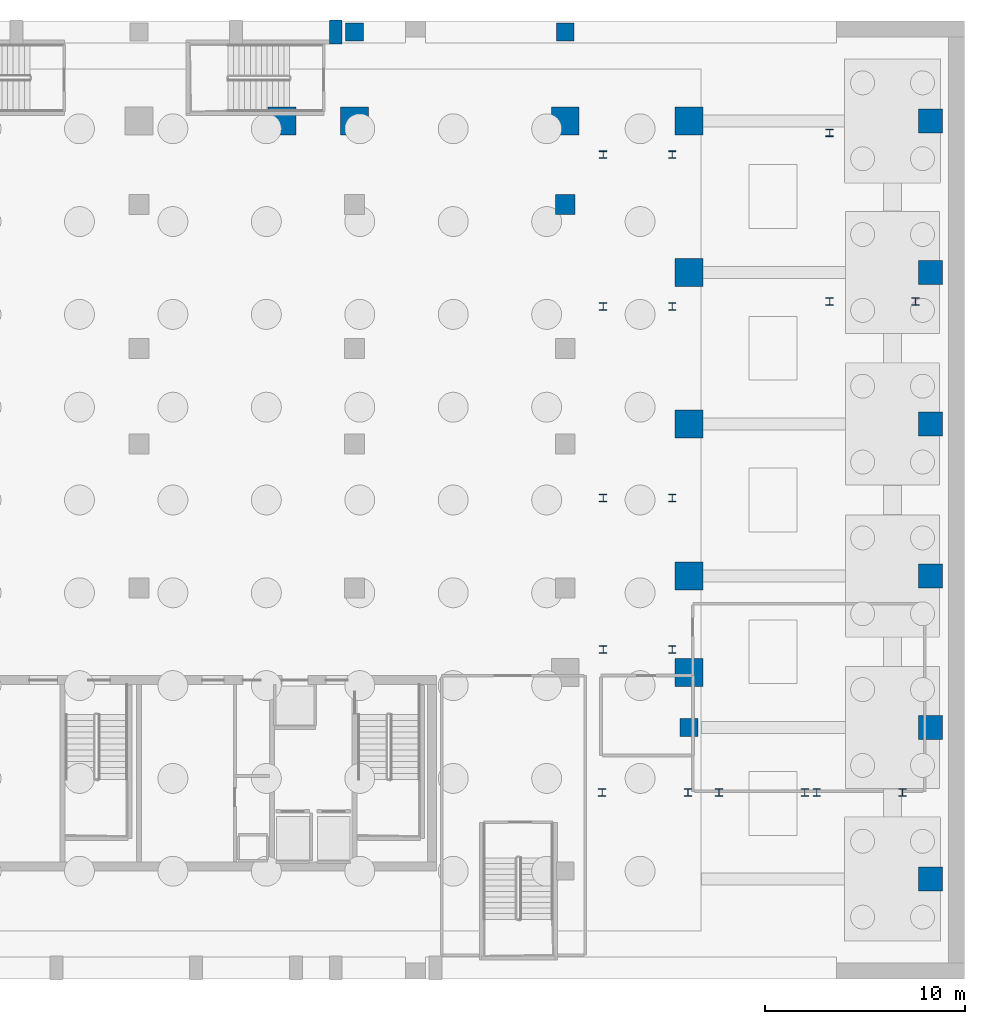
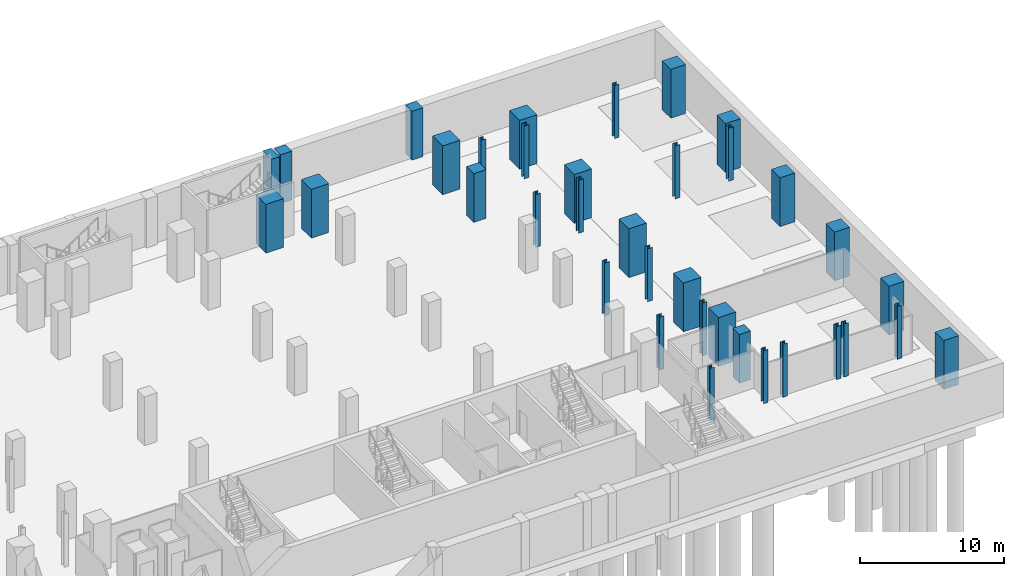
# One storey, part 6 of 18: 36 columns.
"""IFC4 building model written with IfcOpenShell, lengths in metres."""

from ifc_helpers import new_model, si_unit, direction, frame, origin, origin_2d, place, context, subcontext, project, spatial, rectangle, i_section, extrude, material, material_profile, profile_set, type_object, element, save


model = new_model("IFC4")

# Units and contexts
model_context = context("Model", 3, precision=1e-05, world=origin(), true_north=direction((0.0, 1.0)))
body_context = subcontext(model_context, "Body", "Model", "MODEL_VIEW")
ifc_project = project(units=[si_unit("LENGTHUNIT", "METRE"), si_unit("AREAUNIT", "SQUARE_METRE"), si_unit("VOLUMEUNIT", "CUBIC_METRE"), si_unit("PLANEANGLEUNIT", "RADIAN"), si_unit("MASSUNIT", "GRAM", prefix="KILO")], contexts=[model_context])

# Site, building, storey
site_placement = place(None, origin())
site = spatial("IfcSite", under=ifc_project, at=site_placement, CompositionType="ELEMENT")
building_placement = place(site_placement, origin())
building = spatial("IfcBuilding", under=site, at=building_placement, Name="Ndaravel Arena Tower", CompositionType="ELEMENT")
storey_placement = place(building_placement, frame((0.0, 0.0, -9.0)))
storey = spatial("IfcBuildingStorey", under=building, at=storey_placement, Name="B02", CompositionType="ELEMENT", Elevation=-9.0)

# Columns
ifc_material_1 = material(Name="Concrete C40/50", Category="concrete")
ifc_material_profile_1 = material_profile(ifc_material_1, rectangle(XDim=1.0, YDim=1.0, at=origin_2d()), Name="RC 1000x1000")
ifc_profile_set_1 = profile_set([ifc_material_profile_1], Name="Concrete C40/50")
column_type_1 = type_object("IfcColumnType", Name="COL-BSMT-RC1000", PredefinedType="COLUMN", material=ifc_profile_set_1)
column_1_placement = place(storey_placement, frame((64.0, 38.800048828125, 0.0), z_axis=(0.0, 0.0, 1.0), x_axis=(1.0, 0.0, 0.0)))
element("IfcColumn", 1, at=column_1_placement, inside=storey, type_object=column_type_1, Name="B02 Sub-Court Column 20", PredefinedType="COLUMN", context=body_context, shape_type="SweptSolid", body=[
    extrude(rectangle(XDim=1.0, YDim=1.0, at=origin_2d()), origin(), (0.0, 0.0, 1.0), 4.14990234375),
])
ifc_material_2 = material(Name="Concrete C40/50", Category="concrete")
ifc_material_profile_2 = material_profile(ifc_material_2, rectangle(XDim=0.89990234375, YDim=0.89990234375, at=origin_2d()), Name="RC 900x900")
ifc_profile_set_2 = profile_set([ifc_material_profile_2], Name="Concrete C40/50")
column_type_2 = type_object("IfcColumnType", Name="COL-BSMT-RC900", PredefinedType="COLUMN", material=ifc_profile_set_2)
for number, where, z_axis, x_axis, name in (
    (2, (53.449951171875, 47.449951171875, 0.0), (0.0, 0.0, 1.0), (1.0, 0.0, 0.0), "B02 North Concourse Column 4"),
    (3, (64.0, 47.449951171875, 0.0), (0.0, 0.0, 1.0), (1.0, 0.0, 0.0), "B02 North Concourse Column 5"),
    (4, (70.199951171875, 12.60009765625, 0.0), (0.0, 0.0, 1.0), (1.0, 0.0, 0.0), "B02 Ramp Portal Column 02"),
):
    element("IfcColumn", number, at=place(storey_placement, frame(where, z_axis=z_axis, x_axis=x_axis)), inside=storey, type_object=column_type_2, Name=name, PredefinedType="COLUMN", context=body_context, shape_type="SweptSolid", body=[
        extrude(rectangle(XDim=0.89990234375, YDim=0.89990234375, at=origin_2d()), origin(), (0.0, 0.0, 1.0), 4.14990234375),
    ])
ifc_material_3 = material(Name="Steel S355", Category="steel")
ifc_material_profile_3 = material_profile(ifc_material_3, i_section(OverallWidth=0.374755859375, OverallDepth=0.37451171875, WebThickness=0.0166015625, FlangeThickness=0.027099609375, FilletRadius=0.01513671875, at=origin_2d()), Name="UC 356x368x202")
ifc_profile_set_3 = profile_set([ifc_material_profile_3], Name="Steel S355")
column_type_3 = type_object("IfcColumnType", Name="COL-CRN-UC202", PredefinedType="COLUMN", material=ifc_profile_set_3)
for number, where, z_axis, x_axis, name in (
    (5, (65.85009765625, 9.35009765625, 0.0), (0.0, 0.0, 1.0), (1.0, 0.0, 0.0), "B02 Stair ST-A04 Support Pier 1"),
    (6, (70.14990234375, 9.35009765625, 0.0), (0.0, 0.0, 1.0), (1.0, 0.0, 0.0), "B02 Stair ST-A04 Support Pier 2"),
    (7, (71.699951171875, 9.35009765625, 0.0), (0.0, 0.0, 1.0), (1.0, 0.0, 0.0), "B02 Stair ST-A05 Support Pier 1"),
    (8, (76.0, 9.35009765625, 0.0), (0.0, 0.0, 1.0), (1.0, 0.0, 0.0), "B02 Stair ST-A05 Support Pier 2"),
    (9, (76.60009765625, 9.35009765625, 0.0), (0.0, 0.0, 1.0), (1.0, 0.0, 0.0), "B02 Stair ST-A06 Support Pier 1"),
    (10, (80.89990234375, 9.35009765625, 0.0), (0.0, 0.0, 1.0), (1.0, 0.0, 0.0), "B02 Stair ST-A06 Support Pier 2"),
    (11, (77.25, 33.949951171875, 0.0), (0.0, 0.0, 1.0), (1.0, 0.0, 0.0), "B02 Garden Stair ST-GDN-2 Pier 1.1"),
    (12, (77.25, 42.39990234375, 0.0), (0.0, 0.0, 1.0), (1.0, 0.0, 0.0), "B02 Garden Stair ST-GDN-2 Pier 1.2"),
    (13, (81.550048828125, 33.949951171875, 0.0), (0.0, 0.0, 1.0), (1.0, 0.0, 0.0), "B02 Garden Stair ST-GDN-2 Pier 2.1"),
    (14, (65.89990234375, 16.5, 0.0), (0.0, 0.0, 1.0), (1.0, 0.0, 0.0), "B02 Vomitory Stair ST-VOM-3 Pier 1.1"),
    (15, (65.89990234375, 24.10009765625, 0.0), (0.0, 0.0, 1.0), (1.0, 0.0, 0.0), "B02 Vomitory Stair ST-VOM-3 Pier 1.2"),
    (16, (69.360107421875, 16.5, 0.0), (0.0, 0.0, 1.0), (1.0, 0.0, 0.0), "B02 Vomitory Stair ST-VOM-3 Pier 2.1"),
    (17, (69.360107421875, 24.10009765625, 0.0), (0.0, 0.0, 1.0), (1.0, 0.0, 0.0), "B02 Vomitory Stair ST-VOM-3 Pier 2.2"),
    (18, (65.89990234375, 33.699951171875, 0.0), (0.0, 0.0, 1.0), (1.0, 0.0, 0.0), "B02 Vomitory Stair ST-VOM-4 Pier 1.1"),
    (19, (65.89990234375, 41.300048828125, 0.0), (0.0, 0.0, 1.0), (1.0, 0.0, 0.0), "B02 Vomitory Stair ST-VOM-4 Pier 1.2"),
    (20, (69.360107421875, 33.699951171875, 0.0), (0.0, 0.0, 1.0), (1.0, 0.0, 0.0), "B02 Vomitory Stair ST-VOM-4 Pier 2.1"),
    (21, (69.360107421875, 41.300048828125, 0.0), (0.0, 0.0, 1.0), (1.0, 0.0, 0.0), "B02 Vomitory Stair ST-VOM-4 Pier 2.2"),
):
    element("IfcColumn", number, at=place(storey_placement, frame(where, z_axis=z_axis, x_axis=x_axis)), inside=storey, type_object=column_type_3, Name=name, PredefinedType="COLUMN", context=body_context, shape_type="SweptSolid", body=[
        extrude(i_section(OverallWidth=0.374755859375, OverallDepth=0.37451171875, WebThickness=0.0166015625, FlangeThickness=0.027099609375, FilletRadius=0.01513671875, at=origin_2d()), origin(), (0.0, 0.0, 1.0), 4.5),
    ])
ifc_material_4 = material(Name="Concrete C60/75", Category="concrete")
ifc_material_profile_4 = material_profile(ifc_material_4, rectangle(XDim=1.199951171875, YDim=1.199951171875, at=origin_2d()), Name="RC 1200x1200")
ifc_profile_set_4 = profile_set([ifc_material_profile_4], Name="Concrete C60/75")
column_type_4 = type_object("IfcColumnType", Name="COL-MEGA-RC1200", PredefinedType="COLUMN", material=ifc_profile_set_4)
for number, where, z_axis, x_axis, name in (
    (22, (82.300048828125, 5.0, 0.0), (0.0, 0.0, 1.0), (1.0, 0.0, 0.0), "B02 Perimeter Mega Column 07"),
    (23, (82.300048828125, 12.60009765625, 0.0), (0.0, 0.0, 1.0), (1.0, 0.0, 0.0), "B02 Perimeter Mega Column 08"),
    (24, (82.300048828125, 20.199951171875, 0.0), (0.0, 0.0, 1.0), (1.0, 0.0, 0.0), "B02 Perimeter Mega Column 09"),
    (25, (82.300048828125, 27.800048828125, 0.0), (0.0, 0.0, 1.0), (1.0, 0.0, 0.0), "B02 Perimeter Mega Column 10"),
    (26, (82.300048828125, 35.39990234375, 0.0), (0.0, 0.0, 1.0), (1.0, 0.0, 0.0), "B02 Perimeter Mega Column 11"),
    (27, (82.300048828125, 43.0, 0.0), (0.0, 0.0, 1.0), (1.0, 0.0, 0.0), "B02 Perimeter Mega Column 12"),
):
    element("IfcColumn", number, at=place(storey_placement, frame(where, z_axis=z_axis, x_axis=x_axis)), inside=storey, type_object=column_type_4, Name=name, PredefinedType="COLUMN", context=body_context, shape_type="SweptSolid", body=[
        extrude(rectangle(XDim=1.199951171875, YDim=1.199951171875, at=origin_2d()), origin(), (0.0, 0.0, 1.0), 4.14990234375),
    ])
ifc_material_5 = material(Name="Concrete C60/75", Category="concrete")
ifc_material_profile_5 = material_profile(ifc_material_5, rectangle(XDim=1.39990234375, YDim=1.39990234375, at=origin_2d()), Name="RC 1400x1400")
ifc_profile_set_5 = profile_set([ifc_material_profile_5], Name="Concrete C60/75")
column_type_5 = type_object("IfcColumnType", Name="COL-MEGA-RC1400", PredefinedType="COLUMN", material=ifc_profile_set_5)
for number, where, z_axis, x_axis, name in (
    (28, (70.199951171875, 15.35009765625, 0.0), (0.0, 0.0, 1.0), (1.0, 0.0, 0.0), "B02 Arena Ring Mega Column 06"),
    (29, (70.199951171875, 20.199951171875, 0.0), (0.0, 0.0, 1.0), (1.0, 0.0, 0.0), "B02 Arena Ring Mega Column 07"),
    (30, (70.199951171875, 27.800048828125, 0.0), (0.0, 0.0, 1.0), (1.0, 0.0, 0.0), "B02 Arena Ring Mega Column 08"),
    (31, (70.199951171875, 35.39990234375, 0.0), (0.0, 0.0, 1.0), (1.0, 0.0, 0.0), "B02 Arena Ring Mega Column 09"),
    (32, (70.199951171875, 43.0, 0.0), (0.0, 0.0, 1.0), (1.0, 0.0, 0.0), "B02 Arena Ring Mega Column 10"),
    (33, (49.800048828125, 43.0, 0.0), (0.0, 0.0, 1.0), (1.0, 0.0, 0.0), "B02 Arena Ring Mega Column 17"),
    (34, (53.449951171875, 43.0, 0.0), (0.0, 0.0, 1.0), (1.0, 0.0, 0.0), "B02 Arena Ring Mega Column 18"),
    (35, (64.0, 43.0, 0.0), (0.0, 0.0, 1.0), (1.0, 0.0, 0.0), "B02 Arena Ring Mega Column 19"),
):
    element("IfcColumn", number, at=place(storey_placement, frame(where, z_axis=z_axis, x_axis=x_axis)), inside=storey, type_object=column_type_5, Name=name, PredefinedType="COLUMN", context=body_context, shape_type="SweptSolid", body=[
        extrude(rectangle(XDim=1.39990234375, YDim=1.39990234375, at=origin_2d()), origin(), (0.0, 0.0, 1.0), 4.14990234375),
    ])
ifc_material_6 = material(Name="Concrete C40/50", Category="concrete")
ifc_material_profile_6 = material_profile(ifc_material_6, rectangle(XDim=0.64990234375, YDim=1.199951171875, at=origin_2d()), Name="RC 650x1200")
ifc_profile_set_6 = profile_set([ifc_material_profile_6], Name="Concrete C40/50")
column_type_6 = type_object("IfcColumnType", Name="COL-PIL-RC650", PredefinedType="PILASTER", material=ifc_profile_set_6)
column_2_placement = place(storey_placement, frame((52.5, 47.449951171875, 0.0), z_axis=(0.0, 0.0, 1.0), x_axis=(1.0, 0.0, 0.0)))
element("IfcColumn", 36, at=column_2_placement, inside=storey, type_object=column_type_6, Name="B02 North Canopy Pilaster 04", PredefinedType="PILASTER", context=body_context, shape_type="SweptSolid", body=[
    extrude(rectangle(XDim=0.64990234375, YDim=1.199951171875, at=origin_2d()), origin(), (0.0, 0.0, 1.0), 4.14990234375),
])

save(model, "model.ifc")
